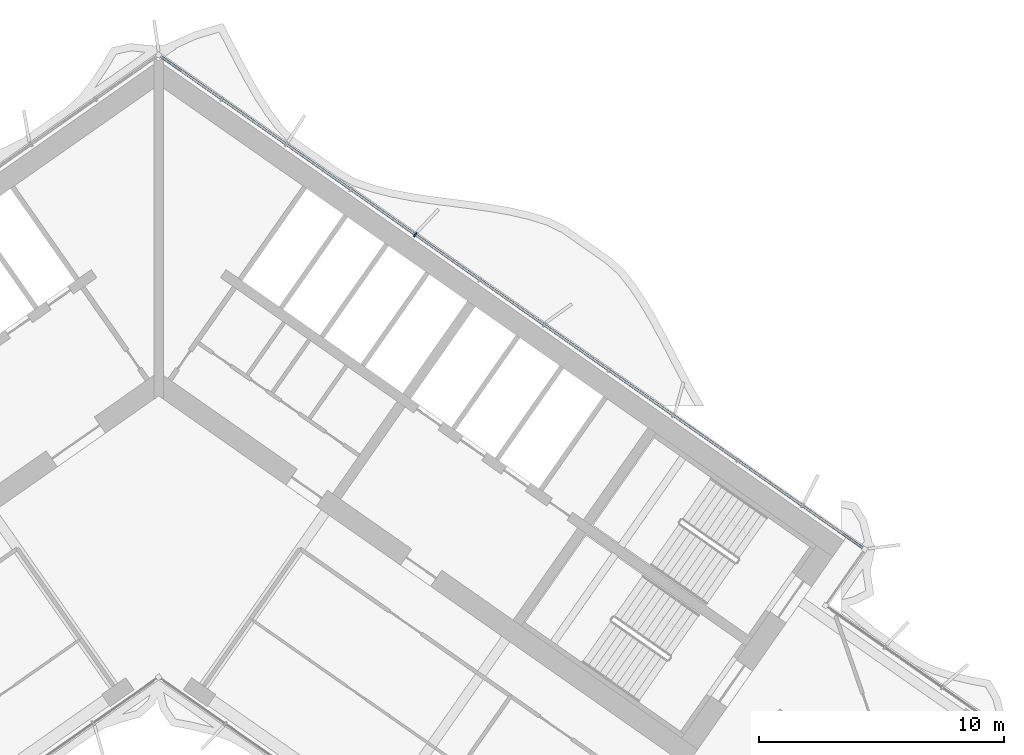
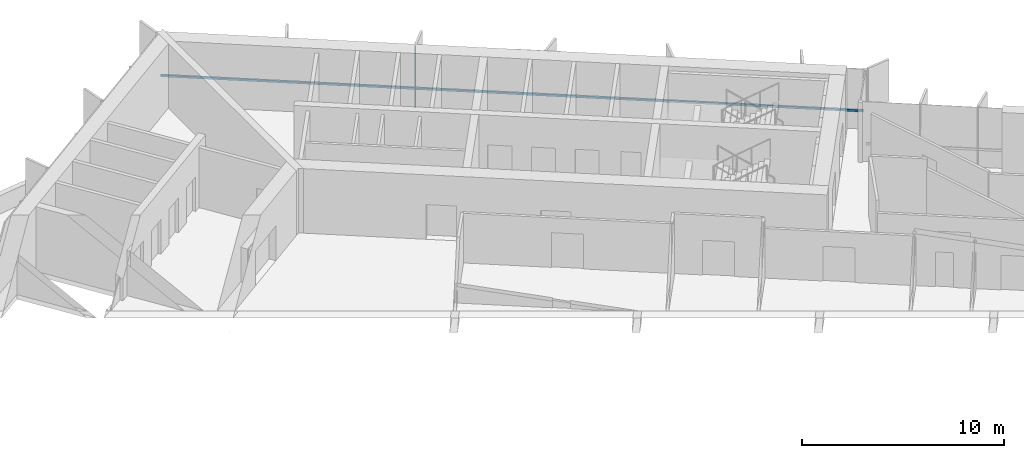
# One storey, part 10 of 23: 2 members, 1 element without a shape of its own.
"""IFC4 building model written with IfcOpenShell, lengths in metres."""

from ifc_helpers import new_model, si_unit, direction, frame, origin, origin_2d, place, context, subcontext, project, spatial, rectangle, extrude, material, material_profile, profile_set, type_object, element, aggregate, save


model = new_model("IFC4")

# Units and contexts
model_context = context("Model", 3, precision=1e-05, world=origin(), true_north=direction((0.0, 1.0)))
body_context = subcontext(model_context, "Body", "Model", "MODEL_VIEW")
ifc_project = project(units=[si_unit("LENGTHUNIT", "METRE"), si_unit("AREAUNIT", "SQUARE_METRE"), si_unit("VOLUMEUNIT", "CUBIC_METRE"), si_unit("PLANEANGLEUNIT", "RADIAN"), si_unit("MASSUNIT", "GRAM", prefix="KILO")], contexts=[model_context])

# Site, building, storey
site_placement = place(None, origin())
site = spatial("IfcSite", under=ifc_project, at=site_placement, CompositionType="ELEMENT")
building_placement = place(site_placement, origin())
building = spatial("IfcBuilding", under=site, at=building_placement, Name="Tel Ilan Convention Tower", CompositionType="ELEMENT")
storey_placement = place(building_placement, frame((0.0, 0.0, 194.39990234375)))
storey = spatial("IfcBuildingStorey", under=building, at=storey_placement, Name="L45", CompositionType="ELEMENT", Elevation=194.39990234375)

# Curtain wall, members
ifc_material_1 = material(Name="Aluminium, bronze anodised", Category="aluminium")
curtain_wall_type = type_object("IfcCurtainWallType", Name="CW2 STICK CURTAIN WALL, SPANDREL PANELS", PredefinedType="NOTDEFINED", material=ifc_material_1)
curtain_wall_placement = place(storey_placement, origin())
curtain_wall = element("IfcCurtainWall", 1, at=curtain_wall_placement, inside=storey, type_object=curtain_wall_type, Name="Curtain wall CW2-35.01", PredefinedType="NOTDEFINED")
ifc_material_2 = material(Name="Aluminium, bronze anodised", Category="aluminium")
ifc_material_profile_1 = material_profile(ifc_material_2, rectangle(XDim=0.06005859375, YDim=0.199951171875, at=origin_2d()), Name="CW MULLION 60x200")
ifc_profile_set_1 = profile_set([ifc_material_profile_1], Name="Aluminium, bronze anodised")
member_type_1 = type_object("IfcMemberType", Name="CW MULLION 60x200", PredefinedType="MULLION", material=ifc_profile_set_1)
member_1_placement = place(storey_placement, frame((10.47314453125, 5.36279296875, 0.0), z_axis=(0.0, 0.0, 1.0), x_axis=(-0.819152044289, 0.573576436351, 0.0)))
member_1 = element("IfcMember", 2, at=member_1_placement, type_object=member_type_1, Name="Mullion", PredefinedType="MULLION", context=body_context, shape_type="SweptSolid", body=[
    extrude(rectangle(XDim=0.06005859375, YDim=0.199951171875, at=origin_2d()), origin(), (0.0, 0.0, 1.0), 3.6201171875),
])
ifc_material_3 = material(Name="Aluminium, bronze anodised", Category="aluminium")
ifc_material_profile_2 = material_profile(ifc_material_3, rectangle(XDim=0.10009765625, YDim=0.1201171875, at=origin_2d()), Name="CW TRANSOM 100x120")
ifc_profile_set_2 = profile_set([ifc_material_profile_2], Name="Aluminium, bronze anodised")
member_type_2 = type_object("IfcMemberType", Name="CW TRANSOM 100x120", PredefinedType="USERDEFINED", material=ifc_profile_set_2)
member_2_placement = place(storey_placement, frame((28.737548828125, -7.42626953125, 1.10009765625), z_axis=(-0.819150201937, 0.573579067494, 0.0), x_axis=(-0.573579067494, -0.819150201937, 0.0)))
member_2 = element("IfcMember", 3, at=member_2_placement, type_object=member_type_2, Name="Transom", ObjectType="TRANSOM", PredefinedType="USERDEFINED", context=body_context, shape_type="SweptSolid", body=[
    extrude(rectangle(XDim=0.10009765625, YDim=0.1201171875, at=origin_2d()), origin(), (0.0, 0.0, 1.0), 34.9521484375),
])
aggregate(curtain_wall, [member_1, member_2])

save(model, "model.ifc")
